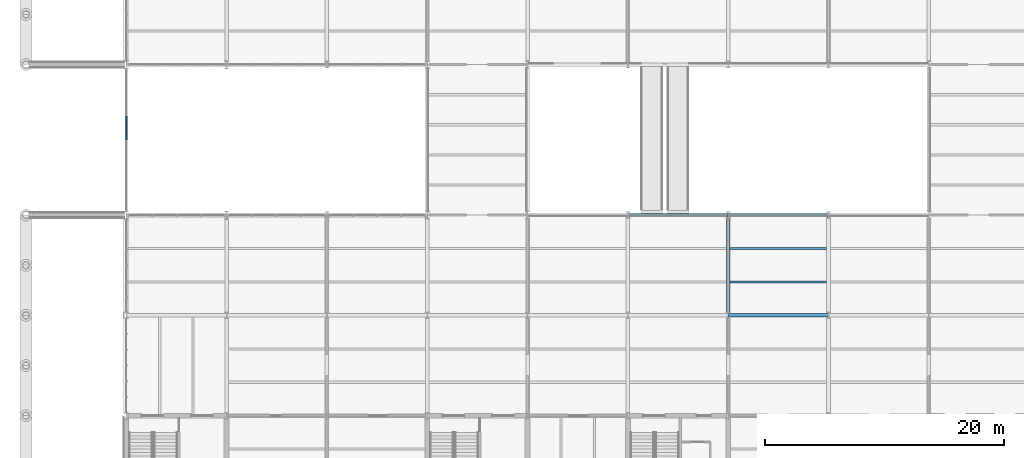
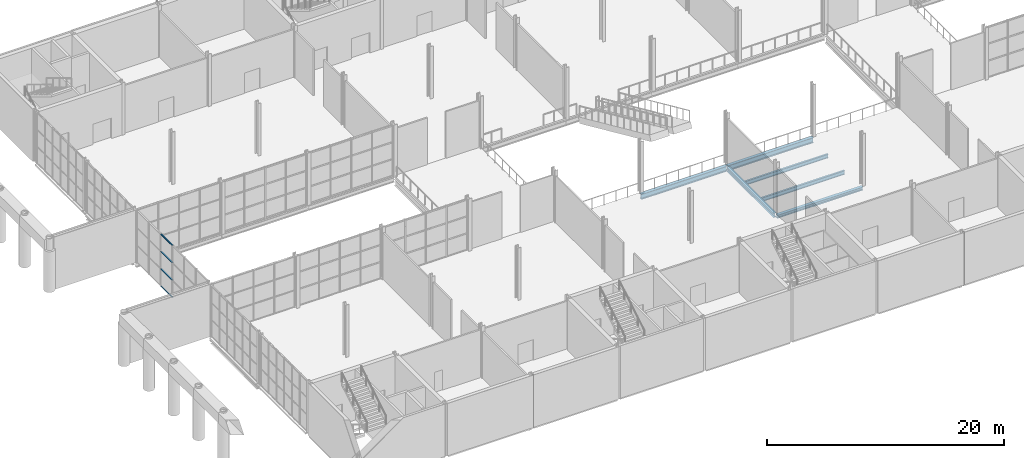
# One storey, part 16 of 64: 6 beams, 4 members, 1 element without a shape of its own.
"""IFC4 building model written with IfcOpenShell, lengths in metres."""

from ifc_helpers import new_model, si_unit, direction, frame, origin, origin_2d, place, context, subcontext, project, spatial, rectangle, i_section, extrude, material, layer, layer_set, material_profile, profile_set, type_object, element, aggregate, save


model = new_model("IFC4")

# Units and contexts
model_context = context("Model", 3, precision=1e-05, world=origin(), true_north=direction((0.0, 1.0)))
body_context = subcontext(model_context, "Body", "Model", "MODEL_VIEW")
ifc_project = project(units=[si_unit("LENGTHUNIT", "METRE"), si_unit("AREAUNIT", "SQUARE_METRE"), si_unit("VOLUMEUNIT", "CUBIC_METRE"), si_unit("PLANEANGLEUNIT", "RADIAN"), si_unit("MASSUNIT", "GRAM", prefix="KILO")], contexts=[model_context])

# Site, building, storey
site_placement = place(None, origin())
site = spatial("IfcSite", under=ifc_project, at=site_placement, CompositionType="ELEMENT")
building_placement = place(site_placement, origin())
building = spatial("IfcBuilding", under=site, at=building_placement, Name="Galleria Vessillo Department Store", CompositionType="ELEMENT")
storey_placement = place(building_placement, frame((0.0, 0.0, 6.0)))
storey = spatial("IfcBuildingStorey", under=building, at=storey_placement, Name="L01", CompositionType="ELEMENT", Elevation=6.0)

# Curtain wall, members
ifc_material_1 = material(Name="Aluminium and glass curtain wall", Category="aluminium")
ifc_layer = layer(ifc_material_1, 0.159912109375)
ifc_layer_set = layer_set([ifc_layer], Name="Aluminium and glass curtain wall")
curtain_wall_type = type_object("IfcCurtainWallType", Name="Arcade portal glazing CW2 2100 module", PredefinedType="NOTDEFINED", material=ifc_layer_set)
curtain_wall_placement = place(storey_placement, origin())
curtain_wall = element("IfcCurtainWall", 1, at=curtain_wall_placement, inside=storey, type_object=curtain_wall_type, Name="Arcade portal glazing CW2 2100 module SCR-W-L01-01", PredefinedType="NOTDEFINED")
ifc_material_2 = material(Name="Aluminium alloy 6063 T6", Category="aluminium")
ifc_material_profile_1 = material_profile(ifc_material_2, rectangle(XDim=0.1201171875, YDim=0.06005859375, at=origin_2d()), Name="AL 60x120")
ifc_profile_set_1 = profile_set([ifc_material_profile_1], Name="Aluminium alloy 6063 T6")
member_type = type_object("IfcMemberType", Name="Aluminium transom 60 x 120", PredefinedType="USERDEFINED", material=ifc_profile_set_1)
member_1_placement = place(storey_placement, frame((8.39990234375, 31.52490234375, 0.030029296875), z_axis=(0.0, 1.0, 0.0), x_axis=(-1.0, 0.0, 0.0)))
member_1 = element("IfcMember", 2, at=member_1_placement, type_object=member_type, Name="CW2 transom 4.1", ObjectType="TRANSOM", PredefinedType="USERDEFINED", context=body_context, shape_type="SweptSolid", body=[
    extrude(rectangle(XDim=0.1201171875, YDim=0.06005859375, at=origin_2d()), origin(), (0.0, 0.0, 1.0), 1.938720703125),
])
member_2_placement = place(storey_placement, frame((8.39990234375, 31.52490234375, 1.800048828125), z_axis=(0.0, 1.0, 0.0), x_axis=(-1.0, 0.0, 0.0)))
member_2 = element("IfcMember", 3, at=member_2_placement, type_object=member_type, Name="CW2 transom 4.2", ObjectType="TRANSOM", PredefinedType="USERDEFINED", context=body_context, shape_type="SweptSolid", body=[
    extrude(rectangle(XDim=0.1201171875, YDim=0.06005859375, at=origin_2d()), origin(), (0.0, 0.0, 1.0), 1.938720703125),
])
member_3_placement = place(storey_placement, frame((8.39990234375, 31.52490234375, 3.599853515625), z_axis=(0.0, 1.0, 0.0), x_axis=(-1.0, 0.0, 0.0)))
member_3 = element("IfcMember", 4, at=member_3_placement, type_object=member_type, Name="CW2 transom 4.3", ObjectType="TRANSOM", PredefinedType="USERDEFINED", context=body_context, shape_type="SweptSolid", body=[
    extrude(rectangle(XDim=0.1201171875, YDim=0.06005859375, at=origin_2d()), origin(), (0.0, 0.0, 1.0), 1.938720703125),
])
member_4_placement = place(storey_placement, frame((8.39990234375, 31.52490234375, 5.369873046875), z_axis=(0.0, 1.0, 0.0), x_axis=(-1.0, 0.0, 0.0)))
member_4 = element("IfcMember", 5, at=member_4_placement, type_object=member_type, Name="CW2 transom 4.4", ObjectType="TRANSOM", PredefinedType="USERDEFINED", context=body_context, shape_type="SweptSolid", body=[
    extrude(rectangle(XDim=0.1201171875, YDim=0.06005859375, at=origin_2d()), origin(), (0.0, 0.0, 1.0), 1.938720703125),
])
aggregate(curtain_wall, [member_1, member_2, member_3, member_4])

# Beams
ifc_material_3 = material(Name="Steel S355 J2", Category="steel")
ifc_material_profile_2 = material_profile(ifc_material_3, i_section(OverallWidth=0.300048828125, OverallDepth=0.43994140625, WebThickness=0.011474609375, FlangeThickness=0.02099609375, FilletRadius=0.027099609375, at=origin_2d()), Name="HEA 450")
ifc_profile_set_2 = profile_set([ifc_material_profile_2], Name="Steel S355 J2")
beam_type_1 = type_object("IfcBeamType", Name="Floor girder HEA 450", PredefinedType="BEAM", material=ifc_profile_set_2)
beam_1_placement = place(storey_placement, frame((58.800048828125, 17.050048828125, -0.369873046875), z_axis=(0.0, 1.0, 0.0), x_axis=(-1.0, 0.0, 0.0)))
element("IfcBeam", 6, at=beam_1_placement, inside=storey, type_object=beam_type_1, Name="S-BM-L01-GI-y58800-17050", PredefinedType="BEAM", context=body_context, shape_type="SweptSolid", body=[
    extrude(i_section(OverallWidth=0.300048828125, OverallDepth=0.43994140625, WebThickness=0.011474609375, FlangeThickness=0.02099609375, FilletRadius=0.027099609375, at=origin_2d()), origin(), (0.0, 0.0, 1.0), 7.887939453125),
])
ifc_material_4 = material(Name="Steel S355 J2", Category="steel")
ifc_material_profile_3 = material_profile(ifc_material_4, i_section(OverallWidth=0.179931640625, OverallDepth=0.39990234375, WebThickness=0.008544921875, FlangeThickness=0.013427734375, FilletRadius=0.02099609375, at=origin_2d()), Name="IPE 400")
ifc_profile_set_3 = profile_set([ifc_material_profile_3], Name="Steel S355 J2")
beam_type_2 = type_object("IfcBeamType", Name="Floor joist IPE 400", PredefinedType="JOIST", material=ifc_profile_set_3)
for number, where, z_axis, x_axis, name in (
    (7, (58.9501953125, 19.60009765625, -0.349853515625), (1.0, 0.0, 0.0), (0.0, 1.0, 0.0), "S-BM-L01-JO-x19600-58950"),
    (8, (58.9501953125, 22.39990234375, -0.349853515625), (1.0, 0.0, 0.0), (0.0, 1.0, 0.0), "S-BM-L01-JO-x22400-58950"),
):
    element("IfcBeam", number, at=place(storey_placement, frame(where, z_axis=z_axis, x_axis=x_axis)), inside=storey, type_object=beam_type_2, Name=name, PredefinedType="JOIST", context=body_context, shape_type="SweptSolid", body=[
        extrude(i_section(OverallWidth=0.179931640625, OverallDepth=0.39990234375, WebThickness=0.008544921875, FlangeThickness=0.013427734375, FilletRadius=0.02099609375, at=origin_2d()), origin(), (0.0, 0.0, 1.0), 8.099609375),
    ])
ifc_material_5 = material(Name="Steel S355 J2", Category="steel")
ifc_material_profile_4 = material_profile(ifc_material_5, i_section(OverallWidth=0.300048828125, OverallDepth=0.330078125, WebThickness=0.009521484375, FlangeThickness=0.0166015625, FilletRadius=0.027099609375, at=origin_2d()), Name="HEA 340")
ifc_profile_set_4 = profile_set([ifc_material_profile_4], Name="Steel S355 J2")
beam_type_3 = type_object("IfcBeamType", Name="Floor tie girder HEA 340", PredefinedType="BEAM", material=ifc_profile_set_4)
beam_2_placement = place(storey_placement, frame((58.807373046875, 16.800048828125, -0.31494140625), z_axis=(1.0, 0.0, 0.0), x_axis=(0.0, 1.0, 0.0)))
element("IfcBeam", 9, at=beam_2_placement, inside=storey, type_object=beam_type_3, Name="S-BM-L01-TI-x16800-58807", PredefinedType="BEAM", context=body_context, shape_type="SweptSolid", body=[
    extrude(i_section(OverallWidth=0.300048828125, OverallDepth=0.330078125, WebThickness=0.009521484375, FlangeThickness=0.0166015625, FilletRadius=0.027099609375, at=origin_2d()), origin(), (0.0, 0.0, 1.0), 8.38525390625),
])
ifc_material_6 = material(Name="Steel S355 J2", Category="steel")
ifc_material_profile_5 = material_profile(ifc_material_6, i_section(OverallWidth=0.300048828125, OverallDepth=0.5400390625, WebThickness=0.012451171875, FlangeThickness=0.02392578125, FilletRadius=0.027099609375, at=origin_2d()), Name="HEA 550")
ifc_profile_set_5 = profile_set([ifc_material_profile_5], Name="Steel S355 J2")
beam_type_4 = type_object("IfcBeamType", Name="Trimmer beam HEA 550", PredefinedType="BEAM", material=ifc_profile_set_5)
beam_3_placement = place(storey_placement, frame((50.41064453125, 25.199951171875, -0.419921875), z_axis=(1.0, 0.0, 0.0), x_axis=(0.0, 1.0, 0.0)))
element("IfcBeam", 10, at=beam_3_placement, inside=storey, type_object=beam_type_4, Name="S-BM-L01-TR-x25200-50411", PredefinedType="BEAM", context=body_context, shape_type="SweptSolid", body=[
    extrude(i_section(OverallWidth=0.300048828125, OverallDepth=0.5400390625, WebThickness=0.012451171875, FlangeThickness=0.02392578125, FilletRadius=0.027099609375, at=origin_2d()), origin(), (0.0, 0.0, 1.0), 8.378662109375),
])
beam_4_placement = place(storey_placement, frame((58.810546875, 25.199951171875, -0.419921875), z_axis=(1.0, 0.0, 0.0), x_axis=(0.0, 1.0, 0.0)))
element("IfcBeam", 11, at=beam_4_placement, inside=storey, type_object=beam_type_4, Name="S-BM-L01-TR-x25200-58811", PredefinedType="BEAM", context=body_context, shape_type="SweptSolid", body=[
    extrude(i_section(OverallWidth=0.300048828125, OverallDepth=0.5400390625, WebThickness=0.012451171875, FlangeThickness=0.02392578125, FilletRadius=0.027099609375, at=origin_2d()), origin(), (0.0, 0.0, 1.0), 8.37890625),
])

save(model, "model.ifc")
